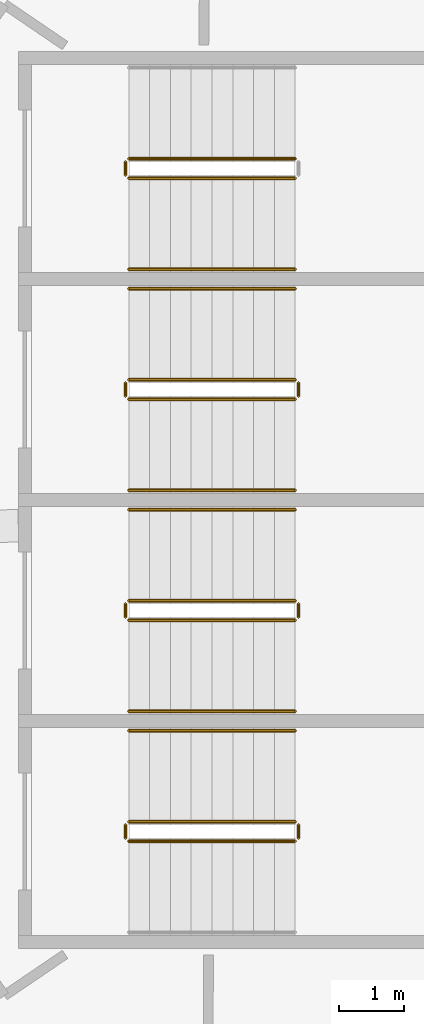
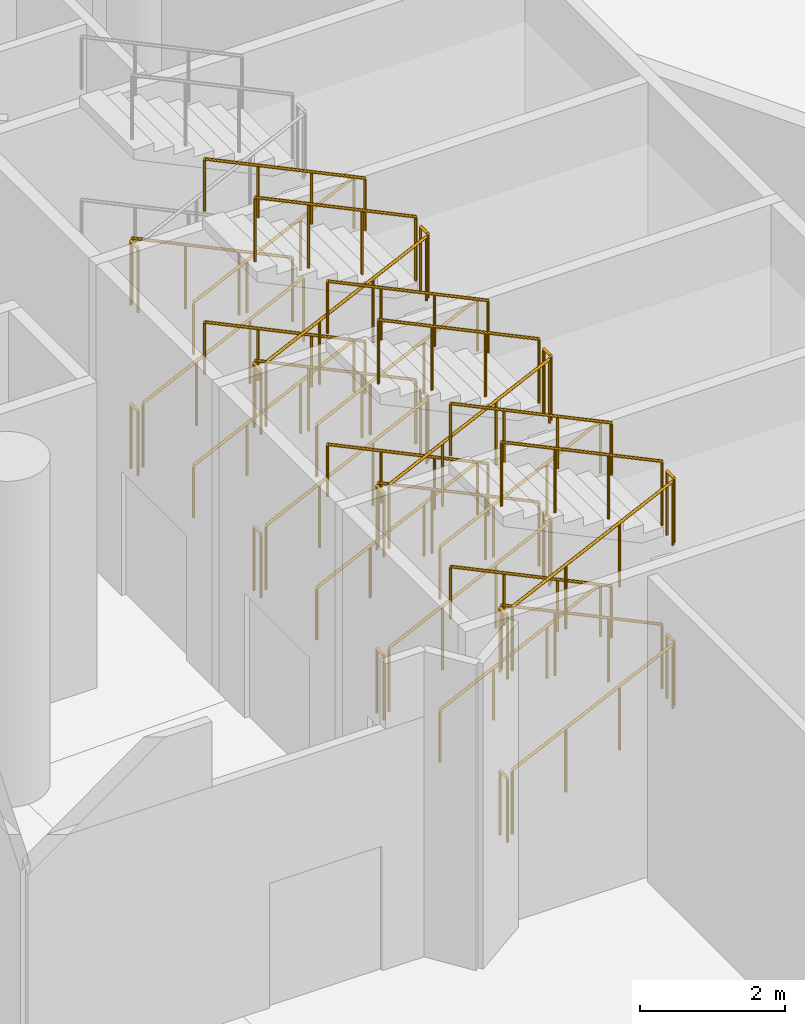
# One storey, part 262 of 271: 40 railings.
"""IFC4 building model written with IfcOpenShell, lengths in metres."""

import ifcopenshell
import ifcopenshell.guid

model = None  # the IFC model being written
_history = None  # IfcOwnerHistory: only IFC2X3 demands one
_inside = {}  # id of a spatial element -> (the spatial element, [elements in it])
_under = {}  # id of a project, library or spatial element -> (it, [spatial elements below it])
_declared = {}  # id of a project -> (the project, [libraries it declares])
_typed = {}  # id of a type object -> (the type object, [elements of that type])
_made_of = {}  # id of a material, layer set ... -> (it, [elements and type objects made of it])


def new_model(schema):
    """Start an empty IFC model of exactly this schema.

    Asked for "IFC4X3", IfcOpenShell would pick the latest addendum, in which some entities
    have other attributes; the version numbers below select the first issue.
    IFC2X3 requires an IfcOwnerHistory on every rooted entity: one is made here for all.
    """
    global model, _history
    if schema == "IFC4X3":
        model = ifcopenshell.file(schema_version=(4, 3, 0, 0))
    else:
        model = ifcopenshell.file(schema=schema)
    _inside.clear()
    _under.clear()
    _declared.clear()
    _typed.clear()
    _made_of.clear()
    _history = None
    if model.schema == "IFC2X3":
        org = make("IfcOrganization", Name="unknown")
        user = make(
            "IfcPersonAndOrganization",
            ThePerson=make("IfcPerson", FamilyName="unknown"),
            TheOrganization=org,
        )
        app = make(
            "IfcApplication",
            ApplicationDeveloper=org,
            Version="unknown",
            ApplicationFullName="unknown",
            ApplicationIdentifier="unknown",
        )
        _history = make(
            "IfcOwnerHistory",
            OwningUser=user,
            OwningApplication=app,
            ChangeAction="ADDED",
            CreationDate=0,
        )
    return model


def make(cls, **values):
    """One entity of the class cls with the attributes given. An attribute that is None is left unset."""
    return model.create_entity(
        cls, **{name: value for name, value in values.items() if value is not None}
    )


def rooted(cls, **values):
    """An entity with a GlobalId (a new one), such as an element, a storey or a relation."""
    return make(cls, GlobalId=ifcopenshell.guid.new(), OwnerHistory=_history, **values)


def si_unit(unit_type, name, prefix=None):
    """IfcSIUnit, for example si_unit("LENGTHUNIT", "METRE", prefix="MILLI")."""
    return make("IfcSIUnit", UnitType=unit_type, Prefix=prefix, Name=name)


def assignment(units):
    """IfcUnitAssignment: the units of a project."""
    return None if units is None else make("IfcUnitAssignment", Units=units)


def point(xyz):
    """IfcCartesianPoint."""
    return None if xyz is None else make("IfcCartesianPoint", Coordinates=xyz)


def direction(xyz):
    """IfcDirection."""
    return None if xyz is None else make("IfcDirection", DirectionRatios=xyz)


def frame(location, z_axis=None, x_axis=None):
    """IfcAxis2Placement3D, a coordinate frame: its origin and axes. An axis left out is left unset."""
    return make(
        "IfcAxis2Placement3D",
        Location=point(location),
        Axis=direction(z_axis),
        RefDirection=direction(x_axis),
    )


def frame_2d(location, x_axis=None):
    """IfcAxis2Placement2D, a coordinate frame in the plane: its origin and x axis."""
    return make(
        "IfcAxis2Placement2D", Location=point(location), RefDirection=direction(x_axis)
    )


def origin():
    """The frame at (0, 0, 0) with its axes left unset."""
    return frame((0.0, 0.0, 0.0))


def origin_2d():
    """The frame at (0, 0) in the plane with its x axis left unset."""
    return frame_2d((0.0, 0.0))


def place(relative_to, where):
    """IfcLocalPlacement: puts the frame where relative to a parent placement (None: the world)."""
    return make(
        "IfcLocalPlacement", PlacementRelTo=relative_to, RelativePlacement=where
    )


def context(
    kind, dimensions, precision=None, world=None, true_north=None, identifier=None
):
    """IfcGeometricRepresentationContext, for example the 3D "Model" context."""
    return make(
        "IfcGeometricRepresentationContext",
        ContextIdentifier=identifier,
        ContextType=kind,
        CoordinateSpaceDimension=dimensions,
        Precision=precision,
        WorldCoordinateSystem=world,
        TrueNorth=true_north,
    )


def subcontext(parent, identifier, kind, view, scale=None):
    """IfcGeometricRepresentationSubContext, for example "Body" below "Model"."""
    return make(
        "IfcGeometricRepresentationSubContext",
        ContextIdentifier=identifier,
        ContextType=kind,
        ParentContext=parent,
        TargetScale=scale,
        TargetView=view,
    )


def project(units=None, contexts=None):
    """IfcProject with its units and contexts."""
    return rooted(
        "IfcProject",
        Name="project",
        RepresentationContexts=contexts,
        UnitsInContext=assignment(units),
    )


def spatial(cls, under=None, at=None, **own):
    """A site, building, storey or space (cls), placed at a placement, below another one or the project."""
    s = rooted(cls, ObjectPlacement=at, **own)
    if under is not None:
        _under.setdefault(under.id(), (under, []))[1].append(s)
    return s


def profile(cls, at=None, kind="AREA", **sizes):
    """A parametric profile (cls). Its sizes go by their IFC names, for example OverallWidth=200.0."""
    return make(cls, ProfileType=kind, Position=at, **sizes)


def circle(**sizes):
    """IfcCircleProfileDef."""
    return profile("IfcCircleProfileDef", **sizes)


def extrude(swept, where, along, depth):
    """IfcExtrudedAreaSolid: the profile swept, set in the frame where, extruded along a direction by depth."""
    return make(
        "IfcExtrudedAreaSolid",
        SweptArea=swept,
        Position=where,
        ExtrudedDirection=direction(along),
        Depth=depth,
    )


def shape(context_of_items, identifier, shape_type, items):
    """IfcShapeRepresentation: the items that make up one representation, for example the "Body"."""
    return make(
        "IfcShapeRepresentation",
        ContextOfItems=context_of_items,
        RepresentationIdentifier=identifier,
        RepresentationType=shape_type,
        Items=items,
    )


def material(Name=None, Category=None):
    """IfcMaterial."""
    return make("IfcMaterial", Name=Name, Category=Category)


def made_of(thing, what):
    """Note that an element or type object is made of a material, layer set ...; save() writes the relation."""
    if what is not None:
        _made_of.setdefault(what.id(), (what, []))[1].append(thing)
    return thing


def type_object(cls, material=None, **own):
    """A type object (cls), such as IfcWallType, which elements share."""
    return made_of(rooted(cls, **own), material)


def element(
    cls,
    number,
    at=None,
    inside=None,
    cuts=None,
    type_object=None,
    material=None,
    context=None,
    identifier="Body",
    shape_type=None,
    held_by="IfcProductDefinitionShape",
    body=None,
    shapes=None,
    **own,
):
    """One element of the class cls, such as IfcWall. Its Tag is "e" and its number.

    at: its placement. inside: the storey or other place that contains it. cuts: it is an
    opening in that element (IfcRelVoidsElement). A single representation is given by context,
    identifier, shape_type and body (its items); several are given by shapes. held_by: the class
    of the entity that holds the representations. save() writes the other relations.
    """
    e = rooted(cls, Tag="e%d" % number, ObjectPlacement=at, **own)
    if body is not None:
        shapes = [shape(context, identifier, shape_type, body)]
    if shapes is not None:
        e.Representation = make(held_by, Representations=shapes)
    if inside is not None:
        _inside.setdefault(inside.id(), (inside, []))[1].append(e)
    if cuts is not None:
        rooted(
            "IfcRelVoidsElement", RelatingBuildingElement=cuts, RelatedOpeningElement=e
        )
    if type_object is not None:
        _typed.setdefault(type_object.id(), (type_object, []))[1].append(e)
    return made_of(e, material)


def aggregate(whole, parts):
    """IfcRelAggregates: a whole, such as a stair, and the parts it consists of."""
    return rooted("IfcRelAggregates", RelatingObject=whole, RelatedObjects=parts)


def save(model, path):
    """Write the relations noted so far, then the file.

    IfcRelAggregates (storeys below a building ...), IfcRelContainedInSpatialStructure (elements
    in a storey), IfcRelDefinesByType, IfcRelAssociatesMaterial and IfcRelDeclares: one each for
    every whole, place, type object, material and project.
    """
    for whole, parts in _under.values():
        aggregate(whole, parts)
    for where, things in _inside.values():
        rooted(
            "IfcRelContainedInSpatialStructure",
            RelatedElements=things,
            RelatingStructure=where,
        )
    for kind, things in _typed.values():
        rooted("IfcRelDefinesByType", RelatedObjects=things, RelatingType=kind)
    for what, things in _made_of.values():
        rooted("IfcRelAssociatesMaterial", RelatedObjects=things, RelatingMaterial=what)
    for by, libraries in _declared.values():
        rooted("IfcRelDeclares", RelatingContext=by, RelatedDefinitions=libraries)
    model.write(path)


model = new_model("IFC4")

# Units and contexts
model_context = context("Model", 3, precision=1e-05, world=origin(), true_north=direction((0.0, 1.0)))
body_context = subcontext(model_context, "Body", "Model", "MODEL_VIEW")
ifc_project = project(units=[si_unit("LENGTHUNIT", "METRE"), si_unit("AREAUNIT", "SQUARE_METRE"), si_unit("VOLUMEUNIT", "CUBIC_METRE"), si_unit("PLANEANGLEUNIT", "RADIAN"), si_unit("MASSUNIT", "GRAM", prefix="KILO")], contexts=[model_context])

# Site, building, storey
site_placement = place(None, origin())
site = spatial("IfcSite", under=ifc_project, at=site_placement, CompositionType="ELEMENT")
building_placement = place(site_placement, origin())
building = spatial("IfcBuilding", under=site, at=building_placement, Name="Meseta Stadium", CompositionType="ELEMENT")
storey_placement = place(building_placement, frame((0.0, 0.0, 6.5)))
storey = spatial("IfcBuildingStorey", under=building, at=storey_placement, Name="L01", CompositionType="ELEMENT", Elevation=6.5)

# Railings
ifc_material_1 = material(Name="Steel S355", Category="steel")
railing_type_1 = type_object("IfcRailingType", Name="Stair guard 1100", PredefinedType="GUARDRAIL", material=ifc_material_1)
railing_1_placement = place(storey_placement, frame((90.300048828125, 13.5, 0.15283203125)))
element("IfcRailing", 1, at=railing_1_placement, inside=storey, type_object=railing_type_1, Name="ST13 L01 guard 1", PredefinedType="GUARDRAIL", context=body_context, shape_type="SweptSolid", body=[
    extrude(circle(Radius=0.02392578125, at=origin_2d()), frame((0.0, 0.0, 1.076171875), z_axis=(0.902436934422, 0.0, 0.430821981091), x_axis=(0.0, 1.0, 0.0)), (0.0, 0.0, 1.0), 2.8369140625),
    extrude(circle(Radius=0.02099609375, at=origin_2d()), origin(), (0.0, 0.0, 1.0), 1.052001953125),
    extrude(circle(Radius=0.02099609375, at=origin_2d()), frame((0.853271484375, 0.0, 0.407470703125)), (0.0, 0.0, 1.0), 1.052001953125),
    extrude(circle(Radius=0.02099609375, at=origin_2d()), frame((1.706787109375, 0.0, 0.814697265625)), (0.0, 0.0, 1.0), 1.052001953125),
    extrude(circle(Radius=0.02099609375, at=origin_2d()), frame((2.56005859375, 0.0, 1.22216796875)), (0.0, 0.0, 1.0), 1.052001953125),
])
railing_2_placement = place(storey_placement, frame((92.909912109375, 13.550048828125, 1.375)))
element("IfcRailing", 2, at=railing_2_placement, inside=storey, type_object=railing_type_1, Name="ST13 L01 guard 2", PredefinedType="GUARDRAIL", context=body_context, shape_type="SweptSolid", body=[
    extrude(circle(Radius=0.02392578125, at=origin_2d()), frame((0.0, 0.0, 1.076171875), z_axis=(0.0, 1.0, 0.0), x_axis=(-1.0, 0.0, 0.0)), (0.0, 0.0, 1.0), 0.199951171875),
    extrude(circle(Radius=0.02099609375, at=origin_2d()), origin(), (0.0, 0.0, 1.0), 1.052001953125),
    extrude(circle(Radius=0.02099609375, at=origin_2d()), frame((0.0, 0.199951171875, 0.0)), (0.0, 0.0, 1.0), 1.052001953125),
])
railing_3_placement = place(storey_placement, frame((92.860107421875, 13.800048828125, 1.52783203125)))
element("IfcRailing", 3, at=railing_3_placement, inside=storey, type_object=railing_type_1, Name="ST13 L01 guard 3", PredefinedType="GUARDRAIL", context=body_context, shape_type="SweptSolid", body=[
    extrude(circle(Radius=0.02392578125, at=origin_2d()), frame((0.0, 0.0, 1.076171875), z_axis=(-0.902436934422, 0.0, 0.430821981091), x_axis=(0.0, -1.0, 0.0)), (0.0, 0.0, 1.0), 2.8369140625),
    extrude(circle(Radius=0.02099609375, at=origin_2d()), origin(), (0.0, 0.0, 1.0), 1.052001953125),
    extrude(circle(Radius=0.02099609375, at=origin_2d()), frame((-0.853271484375, 0.0, 0.407470703125)), (0.0, 0.0, 1.0), 1.052001953125),
    extrude(circle(Radius=0.02099609375, at=origin_2d()), frame((-1.706787109375, 0.0, 0.814697265625)), (0.0, 0.0, 1.0), 1.052001953125),
    extrude(circle(Radius=0.02099609375, at=origin_2d()), frame((-2.56005859375, 0.0, 1.22216796875)), (0.0, 0.0, 1.0), 1.052001953125),
])
railing_4_placement = place(storey_placement, frame((90.25, 13.550048828125, 2.75)))
element("IfcRailing", 4, at=railing_4_placement, inside=storey, type_object=railing_type_1, Name="ST13 L01 guard 4", PredefinedType="GUARDRAIL", context=body_context, shape_type="SweptSolid", body=[
    extrude(circle(Radius=0.02392578125, at=origin_2d()), frame((0.0, 0.0, 1.076171875), z_axis=(0.0, 1.0, 0.0), x_axis=(-1.0, 0.0, 0.0)), (0.0, 0.0, 1.0), 0.199951171875),
    extrude(circle(Radius=0.02099609375, at=origin_2d()), origin(), (0.0, 0.0, 1.0), 1.052001953125),
    extrude(circle(Radius=0.02099609375, at=origin_2d()), frame((0.0, 0.199951171875, 0.0)), (0.0, 0.0, 1.0), 1.052001953125),
])
railing_5_placement = place(storey_placement, frame((90.300048828125, 13.5, 2.90283203125)))
element("IfcRailing", 5, at=railing_5_placement, inside=storey, type_object=railing_type_1, Name="ST13 L01 guard 5", PredefinedType="GUARDRAIL", context=body_context, shape_type="SweptSolid", body=[
    extrude(circle(Radius=0.02392578125, at=origin_2d()), frame((0.0, 0.0, 1.076171875), z_axis=(0.902436934422, 0.0, 0.430821981091), x_axis=(0.0, 1.0, 0.0)), (0.0, 0.0, 1.0), 2.8369140625),
    extrude(circle(Radius=0.02099609375, at=origin_2d()), origin(), (0.0, 0.0, 1.0), 1.052001953125),
    extrude(circle(Radius=0.02099609375, at=origin_2d()), frame((0.853271484375, 0.0, 0.407470703125)), (0.0, 0.0, 1.0), 1.052001953125),
    extrude(circle(Radius=0.02099609375, at=origin_2d()), frame((1.706787109375, 0.0, 0.814697265625)), (0.0, 0.0, 1.0), 1.052001953125),
    extrude(circle(Radius=0.02099609375, at=origin_2d()), frame((2.56005859375, 0.0, 1.22216796875)), (0.0, 0.0, 1.0), 1.052001953125),
])
railing_6_placement = place(storey_placement, frame((92.909912109375, 13.550048828125, 4.125)))
element("IfcRailing", 6, at=railing_6_placement, inside=storey, type_object=railing_type_1, Name="ST13 L01 guard 6", PredefinedType="GUARDRAIL", context=body_context, shape_type="SweptSolid", body=[
    extrude(circle(Radius=0.02392578125, at=origin_2d()), frame((0.0, 0.0, 1.076171875), z_axis=(0.0, 1.0, 0.0), x_axis=(-1.0, 0.0, 0.0)), (0.0, 0.0, 1.0), 0.199951171875),
    extrude(circle(Radius=0.02099609375, at=origin_2d()), origin(), (0.0, 0.0, 1.0), 1.052001953125),
    extrude(circle(Radius=0.02099609375, at=origin_2d()), frame((0.0, 0.199951171875, 0.0)), (0.0, 0.0, 1.0), 1.052001953125),
])
railing_7_placement = place(storey_placement, frame((92.860107421875, 13.800048828125, 4.27783203125)))
element("IfcRailing", 7, at=railing_7_placement, inside=storey, type_object=railing_type_1, Name="ST13 L01 guard 7", PredefinedType="GUARDRAIL", context=body_context, shape_type="SweptSolid", body=[
    extrude(circle(Radius=0.02392578125, at=origin_2d()), frame((0.0, 0.0, 1.076171875), z_axis=(-0.902436934422, 0.0, 0.430821981091), x_axis=(0.0, -1.0, 0.0)), (0.0, 0.0, 1.0), 2.8369140625),
    extrude(circle(Radius=0.02099609375, at=origin_2d()), origin(), (0.0, 0.0, 1.0), 1.052001953125),
    extrude(circle(Radius=0.02099609375, at=origin_2d()), frame((-0.853271484375, 0.0, 0.407470703125)), (0.0, 0.0, 1.0), 1.052001953125),
    extrude(circle(Radius=0.02099609375, at=origin_2d()), frame((-1.706787109375, 0.0, 0.814697265625)), (0.0, 0.0, 1.0), 1.052001953125),
    extrude(circle(Radius=0.02099609375, at=origin_2d()), frame((-2.56005859375, 0.0, 1.22216796875)), (0.0, 0.0, 1.0), 1.052001953125),
])
railing_8_placement = place(storey_placement, frame((90.25, 13.550048828125, 0.0)))
element("IfcRailing", 8, at=railing_8_placement, inside=storey, type_object=railing_type_1, Name="ST13 L01 guard 8", PredefinedType="GUARDRAIL", context=body_context, shape_type="SweptSolid", body=[
    extrude(circle(Radius=0.02392578125, at=origin_2d()), frame((0.0, 0.0, 1.076171875), z_axis=(0.0, 1.0, 0.0), x_axis=(-1.0, 0.0, 0.0)), (0.0, 0.0, 1.0), 0.199951171875),
    extrude(circle(Radius=0.02099609375, at=origin_2d()), origin(), (0.0, 0.0, 1.0), 1.052001953125),
    extrude(circle(Radius=0.02099609375, at=origin_2d()), frame((0.0, 0.199951171875, 0.0)), (0.0, 0.0, 1.0), 1.052001953125),
])
railing_9_placement = place(storey_placement, frame((90.300048828125, 16.89990234375, 0.15283203125)))
element("IfcRailing", 9, at=railing_9_placement, inside=storey, type_object=railing_type_1, Name="ST14 L01 guard 1", PredefinedType="GUARDRAIL", context=body_context, shape_type="SweptSolid", body=[
    extrude(circle(Radius=0.02392578125, at=origin_2d()), frame((0.0, 0.0, 1.076171875), z_axis=(0.902436934422, 0.0, 0.430821981091), x_axis=(0.0, 1.0, 0.0)), (0.0, 0.0, 1.0), 2.8369140625),
    extrude(circle(Radius=0.02099609375, at=origin_2d()), origin(), (0.0, 0.0, 1.0), 1.052001953125),
    extrude(circle(Radius=0.02099609375, at=origin_2d()), frame((0.853271484375, 0.0, 0.407470703125)), (0.0, 0.0, 1.0), 1.052001953125),
    extrude(circle(Radius=0.02099609375, at=origin_2d()), frame((1.706787109375, 0.0, 0.814697265625)), (0.0, 0.0, 1.0), 1.052001953125),
    extrude(circle(Radius=0.02099609375, at=origin_2d()), frame((2.56005859375, 0.0, 1.22216796875)), (0.0, 0.0, 1.0), 1.052001953125),
])
railing_10_placement = place(storey_placement, frame((92.909912109375, 16.949951171875, 1.375)))
element("IfcRailing", 10, at=railing_10_placement, inside=storey, type_object=railing_type_1, Name="ST14 L01 guard 2", PredefinedType="GUARDRAIL", context=body_context, shape_type="SweptSolid", body=[
    extrude(circle(Radius=0.02392578125, at=origin_2d()), frame((0.0, 0.0, 1.076171875), z_axis=(0.0, 1.0, 0.0), x_axis=(-1.0, 0.0, 0.0)), (0.0, 0.0, 1.0), 0.199951171875),
    extrude(circle(Radius=0.02099609375, at=origin_2d()), origin(), (0.0, 0.0, 1.0), 1.052001953125),
    extrude(circle(Radius=0.02099609375, at=origin_2d()), frame((0.0, 0.199951171875, 0.0)), (0.0, 0.0, 1.0), 1.052001953125),
])
railing_11_placement = place(storey_placement, frame((92.860107421875, 17.199951171875, 1.52783203125)))
element("IfcRailing", 11, at=railing_11_placement, inside=storey, type_object=railing_type_1, Name="ST14 L01 guard 3", PredefinedType="GUARDRAIL", context=body_context, shape_type="SweptSolid", body=[
    extrude(circle(Radius=0.02392578125, at=origin_2d()), frame((0.0, 0.0, 1.076171875), z_axis=(-0.902436934422, 0.0, 0.430821981091), x_axis=(0.0, -1.0, 0.0)), (0.0, 0.0, 1.0), 2.8369140625),
    extrude(circle(Radius=0.02099609375, at=origin_2d()), origin(), (0.0, 0.0, 1.0), 1.052001953125),
    extrude(circle(Radius=0.02099609375, at=origin_2d()), frame((-0.853271484375, 0.0, 0.407470703125)), (0.0, 0.0, 1.0), 1.052001953125),
    extrude(circle(Radius=0.02099609375, at=origin_2d()), frame((-1.706787109375, 0.0, 0.814697265625)), (0.0, 0.0, 1.0), 1.052001953125),
    extrude(circle(Radius=0.02099609375, at=origin_2d()), frame((-2.56005859375, 0.0, 1.22216796875)), (0.0, 0.0, 1.0), 1.052001953125),
])
railing_12_placement = place(storey_placement, frame((90.25, 16.949951171875, 2.75)))
element("IfcRailing", 12, at=railing_12_placement, inside=storey, type_object=railing_type_1, Name="ST14 L01 guard 4", PredefinedType="GUARDRAIL", context=body_context, shape_type="SweptSolid", body=[
    extrude(circle(Radius=0.02392578125, at=origin_2d()), frame((0.0, 0.0, 1.076171875), z_axis=(0.0, 1.0, 0.0), x_axis=(-1.0, 0.0, 0.0)), (0.0, 0.0, 1.0), 0.199951171875),
    extrude(circle(Radius=0.02099609375, at=origin_2d()), origin(), (0.0, 0.0, 1.0), 1.052001953125),
    extrude(circle(Radius=0.02099609375, at=origin_2d()), frame((0.0, 0.199951171875, 0.0)), (0.0, 0.0, 1.0), 1.052001953125),
])
railing_13_placement = place(storey_placement, frame((90.300048828125, 16.89990234375, 2.90283203125)))
element("IfcRailing", 13, at=railing_13_placement, inside=storey, type_object=railing_type_1, Name="ST14 L01 guard 5", PredefinedType="GUARDRAIL", context=body_context, shape_type="SweptSolid", body=[
    extrude(circle(Radius=0.02392578125, at=origin_2d()), frame((0.0, 0.0, 1.076171875), z_axis=(0.902436934422, 0.0, 0.430821981091), x_axis=(0.0, 1.0, 0.0)), (0.0, 0.0, 1.0), 2.8369140625),
    extrude(circle(Radius=0.02099609375, at=origin_2d()), origin(), (0.0, 0.0, 1.0), 1.052001953125),
    extrude(circle(Radius=0.02099609375, at=origin_2d()), frame((0.853271484375, 0.0, 0.407470703125)), (0.0, 0.0, 1.0), 1.052001953125),
    extrude(circle(Radius=0.02099609375, at=origin_2d()), frame((1.706787109375, 0.0, 0.814697265625)), (0.0, 0.0, 1.0), 1.052001953125),
    extrude(circle(Radius=0.02099609375, at=origin_2d()), frame((2.56005859375, 0.0, 1.22216796875)), (0.0, 0.0, 1.0), 1.052001953125),
])
railing_14_placement = place(storey_placement, frame((92.909912109375, 16.949951171875, 4.125)))
element("IfcRailing", 14, at=railing_14_placement, inside=storey, type_object=railing_type_1, Name="ST14 L01 guard 6", PredefinedType="GUARDRAIL", context=body_context, shape_type="SweptSolid", body=[
    extrude(circle(Radius=0.02392578125, at=origin_2d()), frame((0.0, 0.0, 1.076171875), z_axis=(0.0, 1.0, 0.0), x_axis=(-1.0, 0.0, 0.0)), (0.0, 0.0, 1.0), 0.199951171875),
    extrude(circle(Radius=0.02099609375, at=origin_2d()), origin(), (0.0, 0.0, 1.0), 1.052001953125),
    extrude(circle(Radius=0.02099609375, at=origin_2d()), frame((0.0, 0.199951171875, 0.0)), (0.0, 0.0, 1.0), 1.052001953125),
])
railing_15_placement = place(storey_placement, frame((92.860107421875, 17.199951171875, 4.27783203125)))
element("IfcRailing", 15, at=railing_15_placement, inside=storey, type_object=railing_type_1, Name="ST14 L01 guard 7", PredefinedType="GUARDRAIL", context=body_context, shape_type="SweptSolid", body=[
    extrude(circle(Radius=0.02392578125, at=origin_2d()), frame((0.0, 0.0, 1.076171875), z_axis=(-0.902436934422, 0.0, 0.430821981091), x_axis=(0.0, -1.0, 0.0)), (0.0, 0.0, 1.0), 2.8369140625),
    extrude(circle(Radius=0.02099609375, at=origin_2d()), origin(), (0.0, 0.0, 1.0), 1.052001953125),
    extrude(circle(Radius=0.02099609375, at=origin_2d()), frame((-0.853271484375, 0.0, 0.407470703125)), (0.0, 0.0, 1.0), 1.052001953125),
    extrude(circle(Radius=0.02099609375, at=origin_2d()), frame((-1.706787109375, 0.0, 0.814697265625)), (0.0, 0.0, 1.0), 1.052001953125),
    extrude(circle(Radius=0.02099609375, at=origin_2d()), frame((-2.56005859375, 0.0, 1.22216796875)), (0.0, 0.0, 1.0), 1.052001953125),
])
railing_16_placement = place(storey_placement, frame((90.25, 16.949951171875, 0.0)))
element("IfcRailing", 16, at=railing_16_placement, inside=storey, type_object=railing_type_1, Name="ST14 L01 guard 8", PredefinedType="GUARDRAIL", context=body_context, shape_type="SweptSolid", body=[
    extrude(circle(Radius=0.02392578125, at=origin_2d()), frame((0.0, 0.0, 1.076171875), z_axis=(0.0, 1.0, 0.0), x_axis=(-1.0, 0.0, 0.0)), (0.0, 0.0, 1.0), 0.199951171875),
    extrude(circle(Radius=0.02099609375, at=origin_2d()), origin(), (0.0, 0.0, 1.0), 1.052001953125),
    extrude(circle(Radius=0.02099609375, at=origin_2d()), frame((0.0, 0.199951171875, 0.0)), (0.0, 0.0, 1.0), 1.052001953125),
])
railing_17_placement = place(storey_placement, frame((90.300048828125, 20.300048828125, 0.15283203125)))
element("IfcRailing", 17, at=railing_17_placement, inside=storey, type_object=railing_type_1, Name="ST15 L01 guard 1", PredefinedType="GUARDRAIL", context=body_context, shape_type="SweptSolid", body=[
    extrude(circle(Radius=0.02392578125, at=origin_2d()), frame((0.0, 0.0, 1.076171875), z_axis=(0.902436934422, 0.0, 0.430821981091), x_axis=(0.0, 1.0, 0.0)), (0.0, 0.0, 1.0), 2.8369140625),
    extrude(circle(Radius=0.02099609375, at=origin_2d()), origin(), (0.0, 0.0, 1.0), 1.052001953125),
    extrude(circle(Radius=0.02099609375, at=origin_2d()), frame((0.853271484375, 0.0, 0.407470703125)), (0.0, 0.0, 1.0), 1.052001953125),
    extrude(circle(Radius=0.02099609375, at=origin_2d()), frame((1.706787109375, 0.0, 0.814697265625)), (0.0, 0.0, 1.0), 1.052001953125),
    extrude(circle(Radius=0.02099609375, at=origin_2d()), frame((2.56005859375, 0.0, 1.22216796875)), (0.0, 0.0, 1.0), 1.052001953125),
])
railing_18_placement = place(storey_placement, frame((92.909912109375, 20.35009765625, 1.375)))
element("IfcRailing", 18, at=railing_18_placement, inside=storey, type_object=railing_type_1, Name="ST15 L01 guard 2", PredefinedType="GUARDRAIL", context=body_context, shape_type="SweptSolid", body=[
    extrude(circle(Radius=0.02392578125, at=origin_2d()), frame((0.0, 0.0, 1.076171875), z_axis=(0.0, 1.0, 0.0), x_axis=(-1.0, 0.0, 0.0)), (0.0, 0.0, 1.0), 0.199951171875),
    extrude(circle(Radius=0.02099609375, at=origin_2d()), origin(), (0.0, 0.0, 1.0), 1.052001953125),
    extrude(circle(Radius=0.02099609375, at=origin_2d()), frame((0.0, 0.199951171875, 0.0)), (0.0, 0.0, 1.0), 1.052001953125),
])
railing_19_placement = place(storey_placement, frame((92.860107421875, 20.60009765625, 1.52783203125)))
element("IfcRailing", 19, at=railing_19_placement, inside=storey, type_object=railing_type_1, Name="ST15 L01 guard 3", PredefinedType="GUARDRAIL", context=body_context, shape_type="SweptSolid", body=[
    extrude(circle(Radius=0.02392578125, at=origin_2d()), frame((0.0, 0.0, 1.076171875), z_axis=(-0.902436934422, 0.0, 0.430821981091), x_axis=(0.0, -1.0, 0.0)), (0.0, 0.0, 1.0), 2.8369140625),
    extrude(circle(Radius=0.02099609375, at=origin_2d()), origin(), (0.0, 0.0, 1.0), 1.052001953125),
    extrude(circle(Radius=0.02099609375, at=origin_2d()), frame((-0.853271484375, 0.0, 0.407470703125)), (0.0, 0.0, 1.0), 1.052001953125),
    extrude(circle(Radius=0.02099609375, at=origin_2d()), frame((-1.706787109375, 0.0, 0.814697265625)), (0.0, 0.0, 1.0), 1.052001953125),
    extrude(circle(Radius=0.02099609375, at=origin_2d()), frame((-2.56005859375, 0.0, 1.22216796875)), (0.0, 0.0, 1.0), 1.052001953125),
])
railing_20_placement = place(storey_placement, frame((90.25, 20.35009765625, 2.75)))
element("IfcRailing", 20, at=railing_20_placement, inside=storey, type_object=railing_type_1, Name="ST15 L01 guard 4", PredefinedType="GUARDRAIL", context=body_context, shape_type="SweptSolid", body=[
    extrude(circle(Radius=0.02392578125, at=origin_2d()), frame((0.0, 0.0, 1.076171875), z_axis=(0.0, 1.0, 0.0), x_axis=(-1.0, 0.0, 0.0)), (0.0, 0.0, 1.0), 0.199951171875),
    extrude(circle(Radius=0.02099609375, at=origin_2d()), origin(), (0.0, 0.0, 1.0), 1.052001953125),
    extrude(circle(Radius=0.02099609375, at=origin_2d()), frame((0.0, 0.199951171875, 0.0)), (0.0, 0.0, 1.0), 1.052001953125),
])
railing_21_placement = place(storey_placement, frame((90.300048828125, 20.300048828125, 2.90283203125)))
element("IfcRailing", 21, at=railing_21_placement, inside=storey, type_object=railing_type_1, Name="ST15 L01 guard 5", PredefinedType="GUARDRAIL", context=body_context, shape_type="SweptSolid", body=[
    extrude(circle(Radius=0.02392578125, at=origin_2d()), frame((0.0, 0.0, 1.076171875), z_axis=(0.902436934422, 0.0, 0.430821981091), x_axis=(0.0, 1.0, 0.0)), (0.0, 0.0, 1.0), 2.8369140625),
    extrude(circle(Radius=0.02099609375, at=origin_2d()), origin(), (0.0, 0.0, 1.0), 1.052001953125),
    extrude(circle(Radius=0.02099609375, at=origin_2d()), frame((0.853271484375, 0.0, 0.407470703125)), (0.0, 0.0, 1.0), 1.052001953125),
    extrude(circle(Radius=0.02099609375, at=origin_2d()), frame((1.706787109375, 0.0, 0.814697265625)), (0.0, 0.0, 1.0), 1.052001953125),
    extrude(circle(Radius=0.02099609375, at=origin_2d()), frame((2.56005859375, 0.0, 1.22216796875)), (0.0, 0.0, 1.0), 1.052001953125),
])
railing_22_placement = place(storey_placement, frame((92.909912109375, 20.35009765625, 4.125)))
element("IfcRailing", 22, at=railing_22_placement, inside=storey, type_object=railing_type_1, Name="ST15 L01 guard 6", PredefinedType="GUARDRAIL", context=body_context, shape_type="SweptSolid", body=[
    extrude(circle(Radius=0.02392578125, at=origin_2d()), frame((0.0, 0.0, 1.076171875), z_axis=(0.0, 1.0, 0.0), x_axis=(-1.0, 0.0, 0.0)), (0.0, 0.0, 1.0), 0.199951171875),
    extrude(circle(Radius=0.02099609375, at=origin_2d()), origin(), (0.0, 0.0, 1.0), 1.052001953125),
    extrude(circle(Radius=0.02099609375, at=origin_2d()), frame((0.0, 0.199951171875, 0.0)), (0.0, 0.0, 1.0), 1.052001953125),
])
railing_23_placement = place(storey_placement, frame((92.860107421875, 20.60009765625, 4.27783203125)))
element("IfcRailing", 23, at=railing_23_placement, inside=storey, type_object=railing_type_1, Name="ST15 L01 guard 7", PredefinedType="GUARDRAIL", context=body_context, shape_type="SweptSolid", body=[
    extrude(circle(Radius=0.02392578125, at=origin_2d()), frame((0.0, 0.0, 1.076171875), z_axis=(-0.902436934422, 0.0, 0.430821981091), x_axis=(0.0, -1.0, 0.0)), (0.0, 0.0, 1.0), 2.8369140625),
    extrude(circle(Radius=0.02099609375, at=origin_2d()), origin(), (0.0, 0.0, 1.0), 1.052001953125),
    extrude(circle(Radius=0.02099609375, at=origin_2d()), frame((-0.853271484375, 0.0, 0.407470703125)), (0.0, 0.0, 1.0), 1.052001953125),
    extrude(circle(Radius=0.02099609375, at=origin_2d()), frame((-1.706787109375, 0.0, 0.814697265625)), (0.0, 0.0, 1.0), 1.052001953125),
    extrude(circle(Radius=0.02099609375, at=origin_2d()), frame((-2.56005859375, 0.0, 1.22216796875)), (0.0, 0.0, 1.0), 1.052001953125),
])
railing_24_placement = place(storey_placement, frame((90.25, 20.35009765625, 0.0)))
element("IfcRailing", 24, at=railing_24_placement, inside=storey, type_object=railing_type_1, Name="ST15 L01 guard 8", PredefinedType="GUARDRAIL", context=body_context, shape_type="SweptSolid", body=[
    extrude(circle(Radius=0.02392578125, at=origin_2d()), frame((0.0, 0.0, 1.076171875), z_axis=(0.0, 1.0, 0.0), x_axis=(-1.0, 0.0, 0.0)), (0.0, 0.0, 1.0), 0.199951171875),
    extrude(circle(Radius=0.02099609375, at=origin_2d()), origin(), (0.0, 0.0, 1.0), 1.052001953125),
    extrude(circle(Radius=0.02099609375, at=origin_2d()), frame((0.0, 0.199951171875, 0.0)), (0.0, 0.0, 1.0), 1.052001953125),
])
railing_25_placement = place(storey_placement, frame((90.300048828125, 23.699951171875, 0.15283203125)))
element("IfcRailing", 25, at=railing_25_placement, inside=storey, type_object=railing_type_1, Name="ST16 L01 guard 1", PredefinedType="GUARDRAIL", context=body_context, shape_type="SweptSolid", body=[
    extrude(circle(Radius=0.02392578125, at=origin_2d()), frame((0.0, 0.0, 1.076171875), z_axis=(0.902436934422, 0.0, 0.430821981091), x_axis=(0.0, 1.0, 0.0)), (0.0, 0.0, 1.0), 2.8369140625),
    extrude(circle(Radius=0.02099609375, at=origin_2d()), origin(), (0.0, 0.0, 1.0), 1.052001953125),
    extrude(circle(Radius=0.02099609375, at=origin_2d()), frame((0.853271484375, 0.0, 0.407470703125)), (0.0, 0.0, 1.0), 1.052001953125),
    extrude(circle(Radius=0.02099609375, at=origin_2d()), frame((1.706787109375, 0.0, 0.814697265625)), (0.0, 0.0, 1.0), 1.052001953125),
    extrude(circle(Radius=0.02099609375, at=origin_2d()), frame((2.56005859375, 0.0, 1.22216796875)), (0.0, 0.0, 1.0), 1.052001953125),
])
railing_26_placement = place(storey_placement, frame((92.860107421875, 24.0, 1.52783203125)))
element("IfcRailing", 26, at=railing_26_placement, inside=storey, type_object=railing_type_1, Name="ST16 L01 guard 3", PredefinedType="GUARDRAIL", context=body_context, shape_type="SweptSolid", body=[
    extrude(circle(Radius=0.02392578125, at=origin_2d()), frame((0.0, 0.0, 1.076171875), z_axis=(-0.902436934422, 0.0, 0.430821981091), x_axis=(0.0, -1.0, 0.0)), (0.0, 0.0, 1.0), 2.8369140625),
    extrude(circle(Radius=0.02099609375, at=origin_2d()), origin(), (0.0, 0.0, 1.0), 1.052001953125),
    extrude(circle(Radius=0.02099609375, at=origin_2d()), frame((-0.853271484375, 0.0, 0.407470703125)), (0.0, 0.0, 1.0), 1.052001953125),
    extrude(circle(Radius=0.02099609375, at=origin_2d()), frame((-1.706787109375, 0.0, 0.814697265625)), (0.0, 0.0, 1.0), 1.052001953125),
    extrude(circle(Radius=0.02099609375, at=origin_2d()), frame((-2.56005859375, 0.0, 1.22216796875)), (0.0, 0.0, 1.0), 1.052001953125),
])
for number, where, name in (
    (27, (90.25, 23.75, 2.75), "ST16 L01 guard 4"),
    (28, (90.25, 23.75, 0.0), "ST16 L01 guard 8"),
):
    element("IfcRailing", number, at=place(storey_placement, frame(where)), inside=storey, type_object=railing_type_1, Name=name, PredefinedType="GUARDRAIL", context=body_context, shape_type="SweptSolid", body=[
        extrude(circle(Radius=0.02392578125, at=origin_2d()), frame((0.0, 0.0, 1.076171875), z_axis=(0.0, 1.0, 0.0), x_axis=(-1.0, 0.0, 0.0)), (0.0, 0.0, 1.0), 0.199951171875),
        extrude(circle(Radius=0.02099609375, at=origin_2d()), origin(), (0.0, 0.0, 1.0), 1.052001953125),
        extrude(circle(Radius=0.02099609375, at=origin_2d()), frame((0.0, 0.199951171875, 0.0)), (0.0, 0.0, 1.0), 1.052001953125),
    ])
ifc_material_2 = material(Name="Steel S355", Category="steel")
railing_type_2 = type_object("IfcRailingType", Name="Stair handrail 900", PredefinedType="HANDRAIL", material=ifc_material_2)
for number, where, name in (
    (29, (92.860107421875, 15.199951171875, 1.52783203125), "ST13 L01 handrail 2"),
    (30, (92.860107421875, 15.199951171875, 4.27783203125), "ST13 L01 handrail 4"),
):
    element("IfcRailing", number, at=place(storey_placement, frame(where)), inside=storey, type_object=railing_type_2, Name=name, PredefinedType="HANDRAIL", context=body_context, shape_type="SweptSolid", body=[
        extrude(circle(Radius=0.02392578125, at=origin_2d()), frame((0.0, 0.0, 0.8759765625), z_axis=(-0.902436934422, 0.0, 0.430821981091), x_axis=(0.0, -1.0, 0.0)), (0.0, 0.0, 1.0), 2.8369140625),
        extrude(circle(Radius=0.02099609375, at=origin_2d()), origin(), (0.0, 0.0, 1.0), 0.851806640625),
        extrude(circle(Radius=0.02099609375, at=origin_2d()), frame((-0.853271484375, 0.0, 0.407470703125)), (0.0, 0.0, 1.0), 0.851806640625),
        extrude(circle(Radius=0.02099609375, at=origin_2d()), frame((-1.706787109375, 0.0, 0.814697265625)), (0.0, 0.0, 1.0), 0.851806640625),
        extrude(circle(Radius=0.02099609375, at=origin_2d()), frame((-2.56005859375, 0.0, 1.22216796875)), (0.0, 0.0, 1.0), 0.851806640625),
    ])
railing_27_placement = place(storey_placement, frame((90.300048828125, 15.5, 0.15283203125)))
element("IfcRailing", 31, at=railing_27_placement, inside=storey, type_object=railing_type_2, Name="ST14 L01 handrail 1", PredefinedType="HANDRAIL", context=body_context, shape_type="SweptSolid", body=[
    extrude(circle(Radius=0.02392578125, at=origin_2d()), frame((0.0, 0.0, 0.8759765625), z_axis=(0.902436934422, 0.0, 0.430821981091), x_axis=(0.0, 1.0, 0.0)), (0.0, 0.0, 1.0), 2.8369140625),
    extrude(circle(Radius=0.02099609375, at=origin_2d()), origin(), (0.0, 0.0, 1.0), 0.851806640625),
    extrude(circle(Radius=0.02099609375, at=origin_2d()), frame((0.853271484375, 0.0, 0.407470703125)), (0.0, 0.0, 1.0), 0.851806640625),
    extrude(circle(Radius=0.02099609375, at=origin_2d()), frame((1.706787109375, 0.0, 0.814697265625)), (0.0, 0.0, 1.0), 0.851806640625),
    extrude(circle(Radius=0.02099609375, at=origin_2d()), frame((2.56005859375, 0.0, 1.22216796875)), (0.0, 0.0, 1.0), 0.851806640625),
])
railing_28_placement = place(storey_placement, frame((92.860107421875, 18.60009765625, 1.52783203125)))
element("IfcRailing", 32, at=railing_28_placement, inside=storey, type_object=railing_type_2, Name="ST14 L01 handrail 2", PredefinedType="HANDRAIL", context=body_context, shape_type="SweptSolid", body=[
    extrude(circle(Radius=0.02392578125, at=origin_2d()), frame((0.0, 0.0, 0.8759765625), z_axis=(-0.902436934422, 0.0, 0.430821981091), x_axis=(0.0, -1.0, 0.0)), (0.0, 0.0, 1.0), 2.8369140625),
    extrude(circle(Radius=0.02099609375, at=origin_2d()), origin(), (0.0, 0.0, 1.0), 0.851806640625),
    extrude(circle(Radius=0.02099609375, at=origin_2d()), frame((-0.853271484375, 0.0, 0.407470703125)), (0.0, 0.0, 1.0), 0.851806640625),
    extrude(circle(Radius=0.02099609375, at=origin_2d()), frame((-1.706787109375, 0.0, 0.814697265625)), (0.0, 0.0, 1.0), 0.851806640625),
    extrude(circle(Radius=0.02099609375, at=origin_2d()), frame((-2.56005859375, 0.0, 1.22216796875)), (0.0, 0.0, 1.0), 0.851806640625),
])
railing_29_placement = place(storey_placement, frame((90.300048828125, 15.5, 2.90283203125)))
element("IfcRailing", 33, at=railing_29_placement, inside=storey, type_object=railing_type_2, Name="ST14 L01 handrail 3", PredefinedType="HANDRAIL", context=body_context, shape_type="SweptSolid", body=[
    extrude(circle(Radius=0.02392578125, at=origin_2d()), frame((0.0, 0.0, 0.8759765625), z_axis=(0.902436934422, 0.0, 0.430821981091), x_axis=(0.0, 1.0, 0.0)), (0.0, 0.0, 1.0), 2.8369140625),
    extrude(circle(Radius=0.02099609375, at=origin_2d()), origin(), (0.0, 0.0, 1.0), 0.851806640625),
    extrude(circle(Radius=0.02099609375, at=origin_2d()), frame((0.853271484375, 0.0, 0.407470703125)), (0.0, 0.0, 1.0), 0.851806640625),
    extrude(circle(Radius=0.02099609375, at=origin_2d()), frame((1.706787109375, 0.0, 0.814697265625)), (0.0, 0.0, 1.0), 0.851806640625),
    extrude(circle(Radius=0.02099609375, at=origin_2d()), frame((2.56005859375, 0.0, 1.22216796875)), (0.0, 0.0, 1.0), 0.851806640625),
])
railing_30_placement = place(storey_placement, frame((92.860107421875, 18.60009765625, 4.27783203125)))
element("IfcRailing", 34, at=railing_30_placement, inside=storey, type_object=railing_type_2, Name="ST14 L01 handrail 4", PredefinedType="HANDRAIL", context=body_context, shape_type="SweptSolid", body=[
    extrude(circle(Radius=0.02392578125, at=origin_2d()), frame((0.0, 0.0, 0.8759765625), z_axis=(-0.902436934422, 0.0, 0.430821981091), x_axis=(0.0, -1.0, 0.0)), (0.0, 0.0, 1.0), 2.8369140625),
    extrude(circle(Radius=0.02099609375, at=origin_2d()), origin(), (0.0, 0.0, 1.0), 0.851806640625),
    extrude(circle(Radius=0.02099609375, at=origin_2d()), frame((-0.853271484375, 0.0, 0.407470703125)), (0.0, 0.0, 1.0), 0.851806640625),
    extrude(circle(Radius=0.02099609375, at=origin_2d()), frame((-1.706787109375, 0.0, 0.814697265625)), (0.0, 0.0, 1.0), 0.851806640625),
    extrude(circle(Radius=0.02099609375, at=origin_2d()), frame((-2.56005859375, 0.0, 1.22216796875)), (0.0, 0.0, 1.0), 0.851806640625),
])
railing_31_placement = place(storey_placement, frame((90.300048828125, 18.89990234375, 0.15283203125)))
element("IfcRailing", 35, at=railing_31_placement, inside=storey, type_object=railing_type_2, Name="ST15 L01 handrail 1", PredefinedType="HANDRAIL", context=body_context, shape_type="SweptSolid", body=[
    extrude(circle(Radius=0.02392578125, at=origin_2d()), frame((0.0, 0.0, 0.8759765625), z_axis=(0.902436934422, 0.0, 0.430821981091), x_axis=(0.0, 1.0, 0.0)), (0.0, 0.0, 1.0), 2.8369140625),
    extrude(circle(Radius=0.02099609375, at=origin_2d()), origin(), (0.0, 0.0, 1.0), 0.851806640625),
    extrude(circle(Radius=0.02099609375, at=origin_2d()), frame((0.853271484375, 0.0, 0.407470703125)), (0.0, 0.0, 1.0), 0.851806640625),
    extrude(circle(Radius=0.02099609375, at=origin_2d()), frame((1.706787109375, 0.0, 0.814697265625)), (0.0, 0.0, 1.0), 0.851806640625),
    extrude(circle(Radius=0.02099609375, at=origin_2d()), frame((2.56005859375, 0.0, 1.22216796875)), (0.0, 0.0, 1.0), 0.851806640625),
])
railing_32_placement = place(storey_placement, frame((92.860107421875, 22.0, 1.52783203125)))
element("IfcRailing", 36, at=railing_32_placement, inside=storey, type_object=railing_type_2, Name="ST15 L01 handrail 2", PredefinedType="HANDRAIL", context=body_context, shape_type="SweptSolid", body=[
    extrude(circle(Radius=0.02392578125, at=origin_2d()), frame((0.0, 0.0, 0.8759765625), z_axis=(-0.902436934422, 0.0, 0.430821981091), x_axis=(0.0, -1.0, 0.0)), (0.0, 0.0, 1.0), 2.8369140625),
    extrude(circle(Radius=0.02099609375, at=origin_2d()), origin(), (0.0, 0.0, 1.0), 0.851806640625),
    extrude(circle(Radius=0.02099609375, at=origin_2d()), frame((-0.853271484375, 0.0, 0.407470703125)), (0.0, 0.0, 1.0), 0.851806640625),
    extrude(circle(Radius=0.02099609375, at=origin_2d()), frame((-1.706787109375, 0.0, 0.814697265625)), (0.0, 0.0, 1.0), 0.851806640625),
    extrude(circle(Radius=0.02099609375, at=origin_2d()), frame((-2.56005859375, 0.0, 1.22216796875)), (0.0, 0.0, 1.0), 0.851806640625),
])
railing_33_placement = place(storey_placement, frame((90.300048828125, 18.89990234375, 2.90283203125)))
element("IfcRailing", 37, at=railing_33_placement, inside=storey, type_object=railing_type_2, Name="ST15 L01 handrail 3", PredefinedType="HANDRAIL", context=body_context, shape_type="SweptSolid", body=[
    extrude(circle(Radius=0.02392578125, at=origin_2d()), frame((0.0, 0.0, 0.8759765625), z_axis=(0.902436934422, 0.0, 0.430821981091), x_axis=(0.0, 1.0, 0.0)), (0.0, 0.0, 1.0), 2.8369140625),
    extrude(circle(Radius=0.02099609375, at=origin_2d()), origin(), (0.0, 0.0, 1.0), 0.851806640625),
    extrude(circle(Radius=0.02099609375, at=origin_2d()), frame((0.853271484375, 0.0, 0.407470703125)), (0.0, 0.0, 1.0), 0.851806640625),
    extrude(circle(Radius=0.02099609375, at=origin_2d()), frame((1.706787109375, 0.0, 0.814697265625)), (0.0, 0.0, 1.0), 0.851806640625),
    extrude(circle(Radius=0.02099609375, at=origin_2d()), frame((2.56005859375, 0.0, 1.22216796875)), (0.0, 0.0, 1.0), 0.851806640625),
])
railing_34_placement = place(storey_placement, frame((92.860107421875, 22.0, 4.27783203125)))
element("IfcRailing", 38, at=railing_34_placement, inside=storey, type_object=railing_type_2, Name="ST15 L01 handrail 4", PredefinedType="HANDRAIL", context=body_context, shape_type="SweptSolid", body=[
    extrude(circle(Radius=0.02392578125, at=origin_2d()), frame((0.0, 0.0, 0.8759765625), z_axis=(-0.902436934422, 0.0, 0.430821981091), x_axis=(0.0, -1.0, 0.0)), (0.0, 0.0, 1.0), 2.8369140625),
    extrude(circle(Radius=0.02099609375, at=origin_2d()), origin(), (0.0, 0.0, 1.0), 0.851806640625),
    extrude(circle(Radius=0.02099609375, at=origin_2d()), frame((-0.853271484375, 0.0, 0.407470703125)), (0.0, 0.0, 1.0), 0.851806640625),
    extrude(circle(Radius=0.02099609375, at=origin_2d()), frame((-1.706787109375, 0.0, 0.814697265625)), (0.0, 0.0, 1.0), 0.851806640625),
    extrude(circle(Radius=0.02099609375, at=origin_2d()), frame((-2.56005859375, 0.0, 1.22216796875)), (0.0, 0.0, 1.0), 0.851806640625),
])
for number, where, name in (
    (39, (90.300048828125, 22.300048828125, 0.15283203125), "ST16 L01 handrail 1"),
    (40, (90.300048828125, 22.300048828125, 2.90283203125), "ST16 L01 handrail 3"),
):
    element("IfcRailing", number, at=place(storey_placement, frame(where)), inside=storey, type_object=railing_type_2, Name=name, PredefinedType="HANDRAIL", context=body_context, shape_type="SweptSolid", body=[
        extrude(circle(Radius=0.02392578125, at=origin_2d()), frame((0.0, 0.0, 0.8759765625), z_axis=(0.902436934422, 0.0, 0.430821981091), x_axis=(0.0, 1.0, 0.0)), (0.0, 0.0, 1.0), 2.8369140625),
        extrude(circle(Radius=0.02099609375, at=origin_2d()), origin(), (0.0, 0.0, 1.0), 0.851806640625),
        extrude(circle(Radius=0.02099609375, at=origin_2d()), frame((0.853271484375, 0.0, 0.407470703125)), (0.0, 0.0, 1.0), 0.851806640625),
        extrude(circle(Radius=0.02099609375, at=origin_2d()), frame((1.706787109375, 0.0, 0.814697265625)), (0.0, 0.0, 1.0), 0.851806640625),
        extrude(circle(Radius=0.02099609375, at=origin_2d()), frame((2.56005859375, 0.0, 1.22216796875)), (0.0, 0.0, 1.0), 0.851806640625),
    ])

save(model, "model.ifc")
